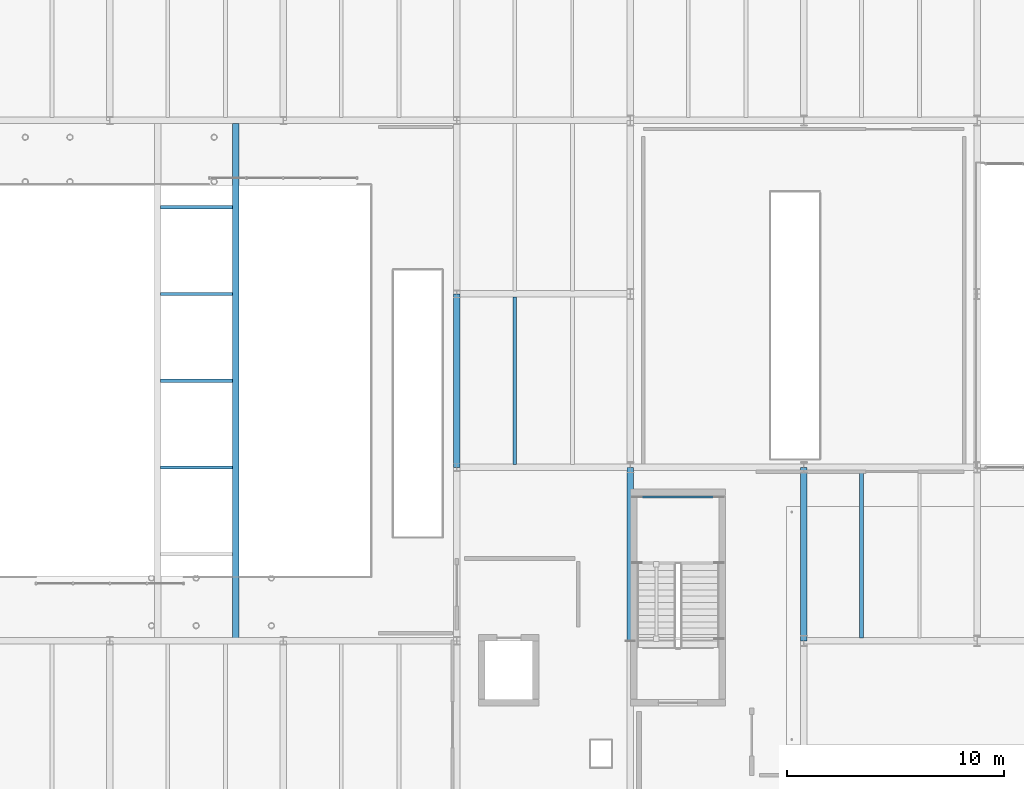
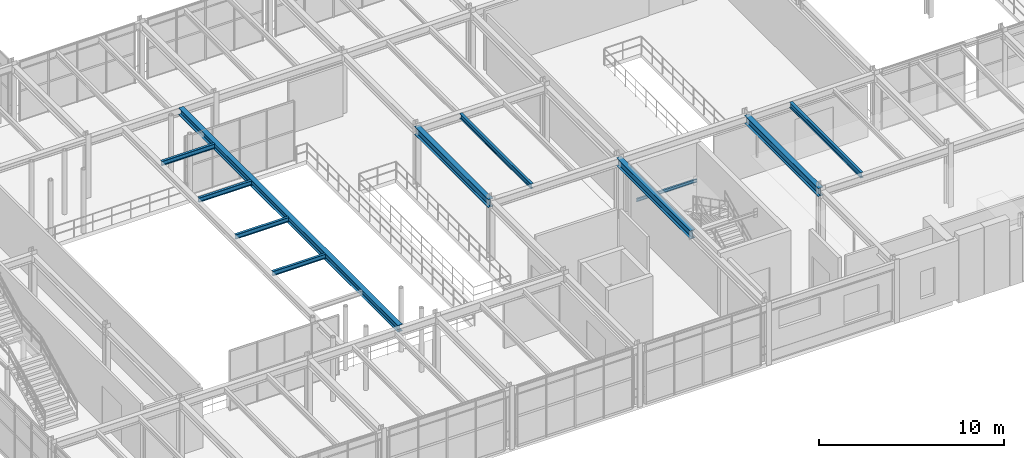
# One storey, part 29 of 122: 11 beams.
"""IFC4 building model written with IfcOpenShell, lengths in metres."""

from ifc_helpers import new_model, si_unit, direction, frame, origin, origin_2d, place, context, subcontext, project, spatial, i_section, extrude, material, material_profile, profile_set, type_object, element, save


model = new_model("IFC4")

# Units and contexts
model_context = context("Model", 3, precision=1e-05, world=origin(), true_north=direction((0.0, 1.0)))
body_context = subcontext(model_context, "Body", "Model", "MODEL_VIEW")
ifc_project = project(units=[si_unit("LENGTHUNIT", "METRE"), si_unit("AREAUNIT", "SQUARE_METRE"), si_unit("VOLUMEUNIT", "CUBIC_METRE"), si_unit("PLANEANGLEUNIT", "RADIAN"), si_unit("MASSUNIT", "GRAM", prefix="KILO")], contexts=[model_context])

# Site, building, storey
site_placement = place(None, origin())
site = spatial("IfcSite", under=ifc_project, at=site_placement, CompositionType="ELEMENT")
building_placement = place(site_placement, origin())
building = spatial("IfcBuilding", under=site, at=building_placement, Name="Sundkrona Museum", CompositionType="ELEMENT")
storey_placement = place(building_placement, frame((0.0, 0.0, 5.39990234375)))
storey = spatial("IfcBuildingStorey", under=building, at=storey_placement, Name="L01", CompositionType="ELEMENT", Elevation=5.39990234375)

# Beams
ifc_material = material(Name="Steel S355J2", Category="steel")
ifc_material_profile_1 = material_profile(ifc_material, i_section(OverallWidth=0.300048828125, OverallDepth=0.5400390625, WebThickness=0.012451171875, FlangeThickness=0.02392578125, FilletRadius=0.027099609375, at=origin_2d()), Name="HEA 550")
ifc_profile_set_1 = profile_set([ifc_material_profile_1], Name="Steel S355J2")
beam_type_1 = type_object("IfcBeamType", Name="B-HEA550", PredefinedType="BEAM", material=ifc_profile_set_1)
for number, where, z_axis, x_axis, name in (
    (1, (112.0, 16.0, 3.670166015625), (0.0, 1.0, 0.0), (-1.0, 0.0, 0.0), "L01 Girder Y-1034"),
    (2, (120.0, 8.0, 3.650146484375), (0.0, 1.0, 0.0), (-1.0, 0.0, 0.0), "L01 Girder Y-1043"),
    (3, (128.0, 8.0, 3.650146484375), (0.0, 1.0, 0.0), (-1.0, 0.0, 0.0), "L01 Girder Y-1050"),
):
    element("IfcBeam", number, at=place(storey_placement, frame(where, z_axis=z_axis, x_axis=x_axis)), inside=storey, type_object=beam_type_1, Name=name, PredefinedType="BEAM", context=body_context, shape_type="SweptSolid", body=[
        extrude(i_section(OverallWidth=0.300048828125, OverallDepth=0.5400390625, WebThickness=0.012451171875, FlangeThickness=0.02392578125, FilletRadius=0.027099609375, at=origin_2d()), origin(), (0.0, 0.0, 1.0), 8.0),
    ])
ifc_material_profile_2 = material_profile(ifc_material, i_section(OverallWidth=0.300048828125, OverallDepth=0.449951171875, WebThickness=0.013916015625, FlangeThickness=0.02587890625, FilletRadius=0.027099609375, at=origin_2d()), Name="HEB 450")
ifc_profile_set_2 = profile_set([ifc_material_profile_2], Name="Steel S355J2")
beam_type_2 = type_object("IfcBeamType", Name="B-HEB450", PredefinedType="BEAM", material=ifc_profile_set_2)
beam_1_placement = place(storey_placement, frame((101.800048828125, 8.139892578125, 3.735107421875), z_axis=(0.0, 1.0, 0.0), x_axis=(-1.0, 0.0, 0.0)))
element("IfcBeam", 4, at=beam_1_placement, inside=storey, type_object=beam_type_2, Name="Atrium Level 02 Bridge Main Girder X=101", PredefinedType="BEAM", context=body_context, shape_type="SweptSolid", body=[
    extrude(i_section(OverallWidth=0.300048828125, OverallDepth=0.449951171875, WebThickness=0.013916015625, FlangeThickness=0.02587890625, FilletRadius=0.027099609375, at=origin_2d()), origin(), (0.0, 0.0, 1.0), 23.72021484375),
])
ifc_material_profile_3 = material_profile(ifc_material, i_section(OverallWidth=0.10009765625, OverallDepth=0.199951171875, WebThickness=0.005615234375, FlangeThickness=0.008544921875, FilletRadius=0.011962890625, at=origin_2d()), Name="IPE 200")
ifc_profile_set_3 = profile_set([ifc_material_profile_3], Name="Steel S355J2")
beam_type_3 = type_object("IfcBeamType", Name="J-IPE200", PredefinedType="JOIST", material=ifc_profile_set_3)
beam_2_placement = place(storey_placement, frame((120.31005859375, 14.63671875, 1.780029296875), z_axis=(1.0, 0.0, 0.0), x_axis=(0.0, 1.0, 0.0)))
element("IfcBeam", 5, at=beam_2_placement, inside=storey, type_object=beam_type_3, Name="L01 ST-2 Mid-Landing Trimmer Beam 1B", PredefinedType="JOIST", context=body_context, shape_type="SweptSolid", body=[
    extrude(i_section(OverallWidth=0.10009765625, OverallDepth=0.199951171875, WebThickness=0.005615234375, FlangeThickness=0.008544921875, FilletRadius=0.011962890625, at=origin_2d()), origin(), (0.0, 0.0, 1.0), 3.780029296875),
])
ifc_material_profile_4 = material_profile(ifc_material, i_section(OverallWidth=0.14990234375, OverallDepth=0.300048828125, WebThickness=0.007080078125, FlangeThickness=0.0107421875, FilletRadius=0.014892578125, at=origin_2d()), Name="IPE 300")
ifc_profile_set_4 = profile_set([ifc_material_profile_4], Name="Steel S355J2")
beam_type_4 = type_object("IfcBeamType", Name="J-IPE300", PredefinedType="JOIST", material=ifc_profile_set_4)
for number, where, z_axis, x_axis, name in (
    (6, (98.340087890625, 16.0, 3.81005859375), (1.0, 0.0, 0.0), (0.0, 1.0, 0.0), "Atrium Level 02 Bridge Cross Beam Y=16"),
    (7, (98.340087890625, 20.0, 3.81005859375), (1.0, 0.0, 0.0), (0.0, 1.0, 0.0), "Atrium Level 02 Bridge Cross Beam Y=20"),
    (8, (98.340087890625, 24.0, 3.81005859375), (1.0, 0.0, 0.0), (0.0, 1.0, 0.0), "Atrium Level 02 Bridge Cross Beam Y=24"),
    (9, (98.340087890625, 28.0, 3.81005859375), (1.0, 0.0, 0.0), (0.0, 1.0, 0.0), "Atrium Level 02 Bridge Cross Beam Y=28"),
):
    element("IfcBeam", number, at=place(storey_placement, frame(where, z_axis=z_axis, x_axis=x_axis)), inside=storey, type_object=beam_type_4, Name=name, PredefinedType="JOIST", context=body_context, shape_type="SweptSolid", body=[
        extrude(i_section(OverallWidth=0.14990234375, OverallDepth=0.300048828125, WebThickness=0.007080078125, FlangeThickness=0.0107421875, FilletRadius=0.014892578125, at=origin_2d()), origin(), (0.0, 0.0, 1.0), 3.31982421875),
    ])
ifc_material_profile_5 = material_profile(ifc_material, i_section(OverallWidth=0.159912109375, OverallDepth=0.330078125, WebThickness=0.007568359375, FlangeThickness=0.011474609375, FilletRadius=0.01806640625, at=origin_2d()), Name="IPE 330")
ifc_profile_set_5 = profile_set([ifc_material_profile_5], Name="Steel S355J2")
beam_type_5 = type_object("IfcBeamType", Name="J-IPE330", PredefinedType="JOIST", material=ifc_profile_set_5)
beam_3_placement = place(storey_placement, frame((114.666748046875, 16.14404296875, 3.755126953125), z_axis=(0.0, 1.0, 0.0), x_axis=(-1.0, 0.0, 0.0)))
element("IfcBeam", 10, at=beam_3_placement, inside=storey, type_object=beam_type_5, Name="L01 Composite Joist 0660", PredefinedType="JOIST", context=body_context, shape_type="SweptSolid", body=[
    extrude(i_section(OverallWidth=0.159912109375, OverallDepth=0.330078125, WebThickness=0.007568359375, FlangeThickness=0.011474609375, FilletRadius=0.01806640625, at=origin_2d()), origin(), (0.0, 0.0, 1.0), 7.7119140625),
])
ifc_material_profile_6 = material_profile(ifc_material, i_section(OverallWidth=0.169921875, OverallDepth=0.360107421875, WebThickness=0.008056640625, FlangeThickness=0.0126953125, FilletRadius=0.01806640625, at=origin_2d()), Name="IPE 360")
ifc_profile_set_6 = profile_set([ifc_material_profile_6], Name="Steel S355J2")
beam_type_6 = type_object("IfcBeamType", Name="J-IPE360", PredefinedType="JOIST", material=ifc_profile_set_6)
beam_4_placement = place(storey_placement, frame((130.666748046875, 8.14404296875, 3.739990234375), z_axis=(0.0, 1.0, 0.0), x_axis=(-1.0, 0.0, 0.0)))
element("IfcBeam", 11, at=beam_4_placement, inside=storey, type_object=beam_type_6, Name="L01 Composite Joist 0674", PredefinedType="JOIST", context=body_context, shape_type="SweptSolid", body=[
    extrude(i_section(OverallWidth=0.169921875, OverallDepth=0.360107421875, WebThickness=0.008056640625, FlangeThickness=0.0126953125, FilletRadius=0.01806640625, at=origin_2d()), origin(), (0.0, 0.0, 1.0), 7.7119140625),
])

save(model, "model.ifc")
